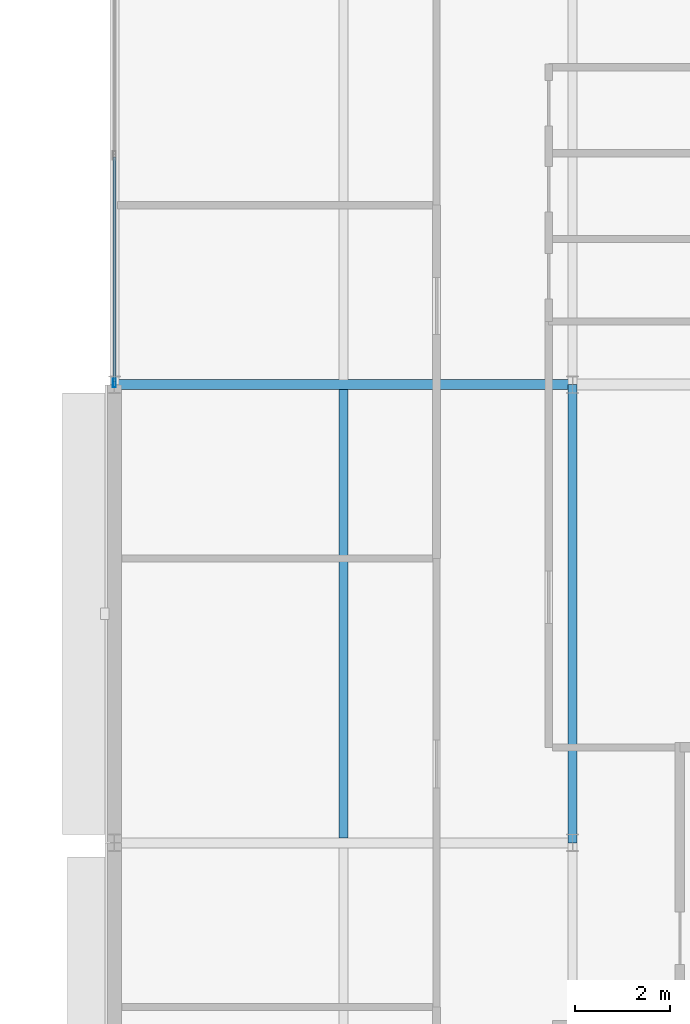
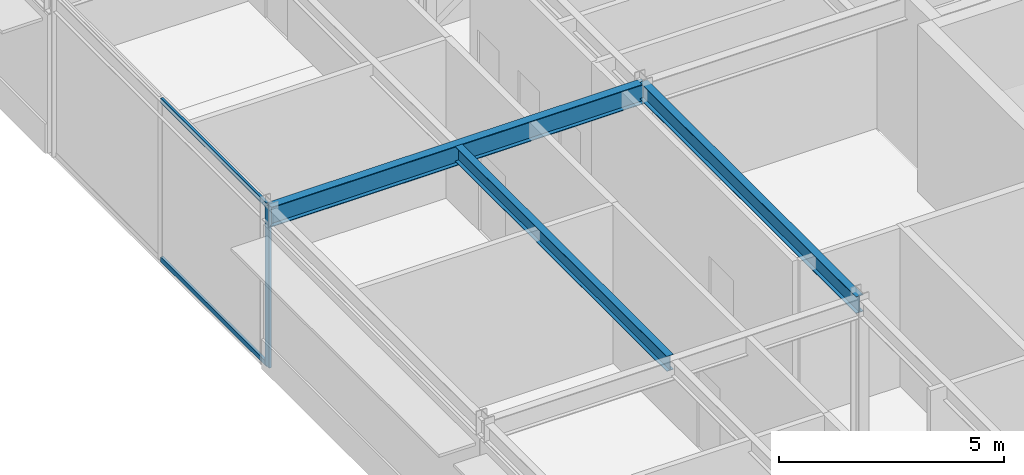
# One storey, part 5 of 22: 3 beams, 3 members, 1 element without a shape of its own.
"""IFC4 building model written with IfcOpenShell, lengths in metres."""

from ifc_helpers import new_model, si_unit, direction, frame, origin, origin_2d, place, context, subcontext, project, spatial, hollow_rectangle, i_section, extrude, material, material_profile, profile_set, type_object, element, aggregate, save


model = new_model("IFC4")

# Units and contexts
model_context = context("Model", 3, precision=1e-05, world=origin(), true_north=direction((0.0, 1.0)))
body_context = subcontext(model_context, "Body", "Model", "MODEL_VIEW")
ifc_project = project(units=[si_unit("LENGTHUNIT", "METRE"), si_unit("AREAUNIT", "SQUARE_METRE"), si_unit("VOLUMEUNIT", "CUBIC_METRE"), si_unit("PLANEANGLEUNIT", "RADIAN"), si_unit("MASSUNIT", "GRAM", prefix="KILO")], contexts=[model_context])

# Site, building, storey
site_placement = place(None, origin())
site = spatial("IfcSite", under=ifc_project, at=site_placement, CompositionType="ELEMENT")
building_placement = place(site_placement, origin())
building = spatial("IfcBuilding", under=site, at=building_placement, Name="Almandine Court Research Institute", CompositionType="ELEMENT")
storey_placement = place(building_placement, frame((0.0, 0.0, 28.0)))
storey = spatial("IfcBuildingStorey", under=building, at=storey_placement, Name="L06", CompositionType="ELEMENT", Elevation=28.0)

# Beams
ifc_material_1 = material(Name="Steel ASTM A992 Grade 50", Category="steel")
ifc_material_profile_1 = material_profile(ifc_material_1, i_section(OverallWidth=0.18994140625, OverallDepth=0.45703125, WebThickness=0.009033203125, FlangeThickness=0.014892578125, at=origin_2d()), Name="W460x74")
ifc_profile_set_1 = profile_set([ifc_material_profile_1], Name="Steel ASTM A992 Grade 50")
beam_type_1 = type_object("IfcBeamType", Name="Beam-B-01", PredefinedType="BEAM", material=ifc_profile_set_1)
beam_1_placement = place(storey_placement, frame((163.199951171875, 25.199951171875, 4.156982421875), z_axis=(0.0, 1.0, 0.0), x_axis=(-1.0, 0.0, 0.0)))
element("IfcBeam", 1, at=beam_1_placement, inside=storey, type_object=beam_type_1, Name="L06 V4 Primary Y Girder", PredefinedType="BEAM", context=body_context, shape_type="SweptSolid", body=[
    extrude(i_section(OverallWidth=0.18994140625, OverallDepth=0.45703125, WebThickness=0.009033203125, FlangeThickness=0.014892578125, at=origin_2d()), origin(), (0.0, 0.0, 1.0), 9.60009765625),
])
ifc_material_profile_2 = material_profile(ifc_material_1, i_section(OverallWidth=0.178955078125, OverallDepth=0.409912109375, WebThickness=0.009033203125, FlangeThickness=0.013916015625, at=origin_2d()), Name="W410x67")
ifc_profile_set_2 = profile_set([ifc_material_profile_2], Name="Steel ASTM A992 Grade 50")
beam_type_2 = type_object("IfcBeamType", Name="Beam-B-02", PredefinedType="JOIST", material=ifc_profile_set_2)
beam_2_placement = place(storey_placement, frame((158.39990234375, 25.302978515625, 4.179931640625), z_axis=(0.0, 1.0, 0.0), x_axis=(-1.0, 0.0, 0.0)))
element("IfcBeam", 2, at=beam_2_placement, inside=storey, type_object=beam_type_2, Name="L06 V4 Composite Secondary Beam", PredefinedType="JOIST", context=body_context, shape_type="SweptSolid", body=[
    extrude(i_section(OverallWidth=0.178955078125, OverallDepth=0.409912109375, WebThickness=0.009033203125, FlangeThickness=0.013916015625, at=origin_2d()), origin(), (0.0, 0.0, 1.0), 9.39404296875),
])
ifc_material_profile_3 = material_profile(ifc_material_1, i_section(OverallWidth=0.2109375, OverallDepth=0.5390625, WebThickness=0.011962890625, FlangeThickness=0.01904296875, at=origin_2d()), Name="W530x109")
ifc_profile_set_3 = profile_set([ifc_material_profile_3], Name="Steel ASTM A992 Grade 50")
beam_type_3 = type_object("IfcBeamType", Name="Beam-G-04", PredefinedType="BEAM", material=ifc_profile_set_3)
beam_3_placement = place(storey_placement, frame((153.60009765625, 34.800048828125, 4.114990234375), z_axis=(1.0, 0.0, 0.0), x_axis=(0.0, 1.0, 0.0)))
element("IfcBeam", 3, at=beam_3_placement, inside=storey, type_object=beam_type_3, Name="L06 V4 Primary X Girder", PredefinedType="BEAM", context=body_context, shape_type="SweptSolid", body=[
    extrude(i_section(OverallWidth=0.2109375, OverallDepth=0.5390625, WebThickness=0.011962890625, FlangeThickness=0.01904296875, at=origin_2d()), origin(), (0.0, 0.0, 1.0), 9.599853515625),
])

# Curtain wall, members
ifc_material_2 = material(Name="Unitised Curtain Wall Framing and Solar Glazing", Category="glass")
curtain_wall_type = type_object("IfcCurtainWallType", Name="CW-CWJ-02", PredefinedType="USERDEFINED", material=ifc_material_2)
curtain_wall_placement = place(storey_placement, origin())
curtain_wall = element("IfcCurtainWall", 4, at=curtain_wall_placement, inside=storey, type_object=curtain_wall_type, Name="L06 Wet Lab West Courtyard Jali Curtain Wall 4", ObjectType="SOLAR JALI SCREEN", PredefinedType="USERDEFINED")
ifc_material_3 = material(Name="Anodised Aluminium AW-6063-T6", Category="aluminium")
ifc_material_profile_4 = material_profile(ifc_material_3, hollow_rectangle(XDim=0.06494140625, YDim=0.179931640625, WallThickness=0.00390625, at=origin_2d()), Name="ALU RHS 65x180x4")
ifc_profile_set_4 = profile_set([ifc_material_profile_4], Name="Anodised Aluminium AW-6063-T6")
member_type_1 = type_object("IfcMemberType", Name="CWMul-65x180", PredefinedType="MULLION", material=ifc_profile_set_4)
member_1_placement = place(storey_placement, frame((153.60009765625, 34.83642578125, 0.0), z_axis=(0.0, 0.0, 1.0), x_axis=(-1.0, 0.0, 0.0)))
member_1 = element("IfcMember", 5, at=member_1_placement, type_object=member_type_1, Name="CWJ-02 mullion 1", PredefinedType="MULLION", context=body_context, shape_type="SweptSolid", body=[
    extrude(hollow_rectangle(XDim=0.06494140625, YDim=0.179931640625, WallThickness=0.00390625, at=origin_2d()), origin(), (0.0, 0.0, 1.0), 4.3701171875),
])
ifc_material_profile_5 = material_profile(ifc_material_3, hollow_rectangle(XDim=0.06494140625, YDim=0.1298828125, WallThickness=0.00390625, at=origin_2d()), Name="ALU RHS 65x130x4")
ifc_profile_set_5 = profile_set([ifc_material_profile_5], Name="Anodised Aluminium AW-6063-T6")
member_type_2 = type_object("IfcMemberType", Name="CWTrn-65x130", PredefinedType="NOTDEFINED", material=ifc_profile_set_5)
member_2_placement = place(storey_placement, frame((153.60009765625, 34.868896484375, 0.032470703125), z_axis=(0.0, 1.0, 0.0), x_axis=(-1.0, 0.0, 0.0)))
member_2 = element("IfcMember", 6, at=member_2_placement, type_object=member_type_2, Name="CWJ-02 transom 1.1", ObjectType="TRANSOM", PredefinedType="USERDEFINED", context=body_context, shape_type="SweptSolid", body=[
    extrude(hollow_rectangle(XDim=0.06494140625, YDim=0.1298828125, WallThickness=0.00390625, at=origin_2d()), origin(), (0.0, 0.0, 1.0), 4.698486328125),
])
member_3_placement = place(storey_placement, frame((153.60009765625, 34.868896484375, 4.33740234375), z_axis=(0.0, 1.0, 0.0), x_axis=(-1.0, 0.0, 0.0)))
member_3 = element("IfcMember", 7, at=member_3_placement, type_object=member_type_2, Name="CWJ-02 transom 1.2", ObjectType="TRANSOM", PredefinedType="USERDEFINED", context=body_context, shape_type="SweptSolid", body=[
    extrude(hollow_rectangle(XDim=0.06494140625, YDim=0.1298828125, WallThickness=0.00390625, at=origin_2d()), origin(), (0.0, 0.0, 1.0), 4.698486328125),
])
aggregate(curtain_wall, [member_1, member_2, member_3])

save(model, "model.ifc")
